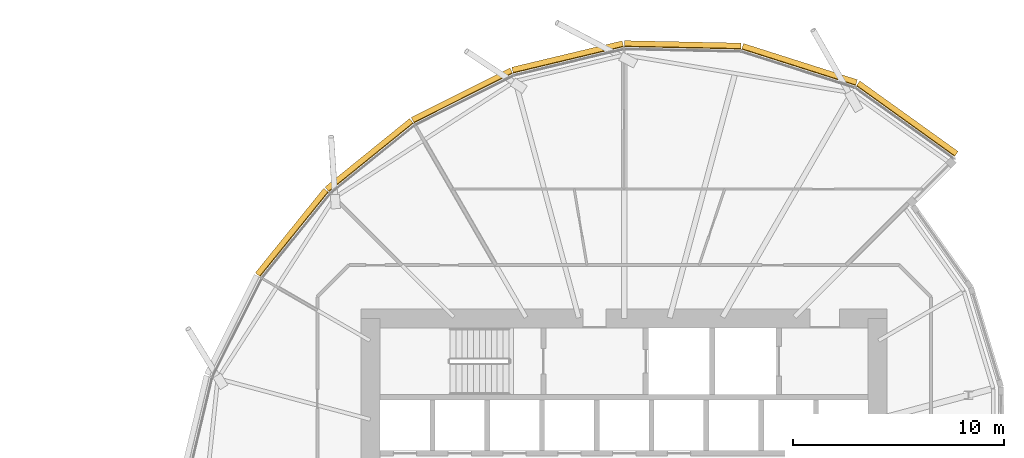
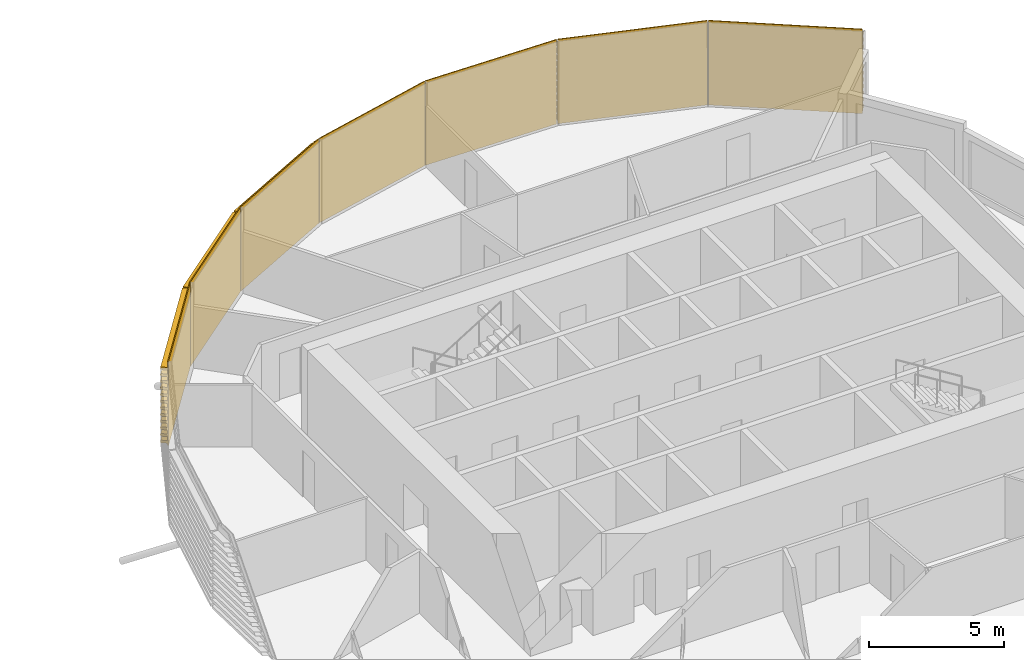
# One storey, part 36 of 36: 7 coverings.
"""IFC4 building model written with IfcOpenShell, lengths in metres."""

from ifc_helpers import new_model, si_unit, direction, frame, origin, place, context, subcontext, project, spatial, polyline, outline, extrude, material, material_profile, profile_set, type_object, element, save


model = new_model("IFC4")

# Units and contexts
model_context = context("Model", 3, precision=1e-05, world=origin(), true_north=direction((0.0, 1.0)))
body_context = subcontext(model_context, "Body", "Model", "MODEL_VIEW")
ifc_project = project(units=[si_unit("LENGTHUNIT", "METRE"), si_unit("AREAUNIT", "SQUARE_METRE"), si_unit("VOLUMEUNIT", "CUBIC_METRE"), si_unit("PLANEANGLEUNIT", "RADIAN"), si_unit("MASSUNIT", "GRAM", prefix="KILO")], contexts=[model_context])

# Site, building, storey
site_placement = place(None, origin())
site = spatial("IfcSite", under=ifc_project, at=site_placement, CompositionType="ELEMENT")
building_placement = place(site_placement, origin())
building = spatial("IfcBuilding", under=site, at=building_placement, Name="Rimbun Link Towers", CompositionType="ELEMENT")
storey_placement = place(building_placement, frame((0.0, 0.0, 37.60009765625)))
storey = spatial("IfcBuildingStorey", under=building, at=storey_placement, Name="L08", CompositionType="ELEMENT", Elevation=37.60009765625)

# Coverings
ifc_material = material(Name="Terracotta", Category="masonry")
ifc_material_profile = material_profile(ifc_material, outline(polyline([(0.123046875, 0.0), (0.1630859375, 0.0), (0.1630859375, 0.10009765625), (0.423095703125, 0.10009765625), (0.423095703125, 0.219970703125), (0.1630859375, 0.219970703125), (0.1630859375, 0.39990234375), (0.423095703125, 0.39990234375), (0.423095703125, 0.52001953125), (0.1630859375, 0.52001953125), (0.1630859375, 0.699951171875), (0.423095703125, 0.699951171875), (0.423095703125, 0.820068359375), (0.1630859375, 0.820068359375), (0.1630859375, 1.0), (0.423095703125, 1.0), (0.423095703125, 1.1201171875), (0.1630859375, 1.1201171875), (0.1630859375, 1.300048828125), (0.423095703125, 1.300048828125), (0.423095703125, 1.419921875), (0.1630859375, 1.419921875), (0.1630859375, 1.60009765625), (0.423095703125, 1.60009765625), (0.423095703125, 1.719970703125), (0.1630859375, 1.719970703125), (0.1630859375, 1.89990234375), (0.423095703125, 1.89990234375), (0.423095703125, 2.02001953125), (0.1630859375, 2.02001953125), (0.1630859375, 2.199951171875), (0.423095703125, 2.199951171875), (0.423095703125, 2.320068359375), (0.1630859375, 2.320068359375), (0.1630859375, 2.5), (0.423095703125, 2.5), (0.423095703125, 2.6201171875), (0.1630859375, 2.6201171875), (0.1630859375, 2.800048828125), (0.423095703125, 2.800048828125), (0.423095703125, 2.919921875), (0.1630859375, 2.919921875), (0.1630859375, 3.10009765625), (0.423095703125, 3.10009765625), (0.423095703125, 3.219970703125), (0.1630859375, 3.219970703125), (0.1630859375, 3.39990234375), (0.423095703125, 3.39990234375), (0.423095703125, 3.52001953125), (0.1630859375, 3.52001953125), (0.1630859375, 3.800048828125), (0.123046875, 3.800048828125), (0.123046875, 0.0)])), Name="BAGUETTE 120X300")
ifc_profile_set = profile_set([ifc_material_profile], Name="Terracotta")
covering_type = type_object("IfcCoveringType", Name="TERRACOTTA BAGUETTE 120X300 H3800", PredefinedType="CLADDING", material=ifc_profile_set)
covering_1_placement = place(storey_placement, frame((42.663818359375, 18.903076171875, 0.0), z_axis=(0.812452182196, -0.583027830935, 0.0), x_axis=(0.583027830935, 0.812452182196, 0.0)))
element("IfcCovering", 1, at=covering_1_placement, inside=storey, type_object=covering_type, Name="TERRACOTTA BAGUETTE", PredefinedType="CLADDING", context=body_context, shape_type="SweptSolid", body=[
    extrude(outline(polyline([(0.123046875, 0.0), (0.1630859375, 0.0), (0.1630859375, 0.10009765625), (0.423095703125, 0.10009765625), (0.423095703125, 0.219970703125), (0.1630859375, 0.219970703125), (0.1630859375, 0.39990234375), (0.423095703125, 0.39990234375), (0.423095703125, 0.52001953125), (0.1630859375, 0.52001953125), (0.1630859375, 0.699951171875), (0.423095703125, 0.699951171875), (0.423095703125, 0.820068359375), (0.1630859375, 0.820068359375), (0.1630859375, 1.0), (0.423095703125, 1.0), (0.423095703125, 1.1201171875), (0.1630859375, 1.1201171875), (0.1630859375, 1.300048828125), (0.423095703125, 1.300048828125), (0.423095703125, 1.419921875), (0.1630859375, 1.419921875), (0.1630859375, 1.60009765625), (0.423095703125, 1.60009765625), (0.423095703125, 1.719970703125), (0.1630859375, 1.719970703125), (0.1630859375, 1.89990234375), (0.423095703125, 1.89990234375), (0.423095703125, 2.02001953125), (0.1630859375, 2.02001953125), (0.1630859375, 2.199951171875), (0.423095703125, 2.199951171875), (0.423095703125, 2.320068359375), (0.1630859375, 2.320068359375), (0.1630859375, 2.5), (0.423095703125, 2.5), (0.423095703125, 2.6201171875), (0.1630859375, 2.6201171875), (0.1630859375, 2.800048828125), (0.423095703125, 2.800048828125), (0.423095703125, 2.919921875), (0.1630859375, 2.919921875), (0.1630859375, 3.10009765625), (0.423095703125, 3.10009765625), (0.423095703125, 3.219970703125), (0.1630859375, 3.219970703125), (0.1630859375, 3.39990234375), (0.423095703125, 3.39990234375), (0.423095703125, 3.52001953125), (0.1630859375, 3.52001953125), (0.1630859375, 3.800048828125), (0.123046875, 3.800048828125), (0.123046875, 0.0)])), origin(), (0.0, 0.0, 1.0), 5.72509765625),
])
covering_2_placement = place(storey_placement, frame((37.2744140625, 20.6171875, 0.0), z_axis=(0.95296149131, -0.303091398889, 0.0), x_axis=(0.303091398889, 0.95296149131, 0.0)))
element("IfcCovering", 2, at=covering_2_placement, inside=storey, type_object=covering_type, Name="TERRACOTTA BAGUETTE", PredefinedType="CLADDING", context=body_context, shape_type="SweptSolid", body=[
    extrude(outline(polyline([(0.123046875, 0.0), (0.1630859375, 0.0), (0.1630859375, 0.10009765625), (0.423095703125, 0.10009765625), (0.423095703125, 0.219970703125), (0.1630859375, 0.219970703125), (0.1630859375, 0.39990234375), (0.423095703125, 0.39990234375), (0.423095703125, 0.52001953125), (0.1630859375, 0.52001953125), (0.1630859375, 0.699951171875), (0.423095703125, 0.699951171875), (0.423095703125, 0.820068359375), (0.1630859375, 0.820068359375), (0.1630859375, 1.0), (0.423095703125, 1.0), (0.423095703125, 1.1201171875), (0.1630859375, 1.1201171875), (0.1630859375, 1.300048828125), (0.423095703125, 1.300048828125), (0.423095703125, 1.419921875), (0.1630859375, 1.419921875), (0.1630859375, 1.60009765625), (0.423095703125, 1.60009765625), (0.423095703125, 1.719970703125), (0.1630859375, 1.719970703125), (0.1630859375, 1.89990234375), (0.423095703125, 1.89990234375), (0.423095703125, 2.02001953125), (0.1630859375, 2.02001953125), (0.1630859375, 2.199951171875), (0.423095703125, 2.199951171875), (0.423095703125, 2.320068359375), (0.1630859375, 2.320068359375), (0.1630859375, 2.5), (0.423095703125, 2.5), (0.423095703125, 2.6201171875), (0.1630859375, 2.6201171875), (0.1630859375, 2.800048828125), (0.423095703125, 2.800048828125), (0.423095703125, 2.919921875), (0.1630859375, 2.919921875), (0.1630859375, 3.10009765625), (0.423095703125, 3.10009765625), (0.423095703125, 3.219970703125), (0.1630859375, 3.219970703125), (0.1630859375, 3.39990234375), (0.423095703125, 3.39990234375), (0.423095703125, 3.52001953125), (0.1630859375, 3.52001953125), (0.1630859375, 3.800048828125), (0.123046875, 3.800048828125), (0.123046875, 0.0)])), origin(), (0.0, 0.0, 1.0), 5.655517578125),
])
covering_3_placement = place(storey_placement, frame((31.75, 20.7333984375, 0.0), z_axis=(0.99977881918, -0.02103123201, 0.0), x_axis=(0.02103123201, 0.99977881918, 0.0)))
element("IfcCovering", 3, at=covering_3_placement, inside=storey, type_object=covering_type, Name="TERRACOTTA BAGUETTE", PredefinedType="CLADDING", context=body_context, shape_type="SweptSolid", body=[
    extrude(outline(polyline([(0.123046875, 0.0), (0.1630859375, 0.0), (0.1630859375, 0.10009765625), (0.423095703125, 0.10009765625), (0.423095703125, 0.219970703125), (0.1630859375, 0.219970703125), (0.1630859375, 0.39990234375), (0.423095703125, 0.39990234375), (0.423095703125, 0.52001953125), (0.1630859375, 0.52001953125), (0.1630859375, 0.699951171875), (0.423095703125, 0.699951171875), (0.423095703125, 0.820068359375), (0.1630859375, 0.820068359375), (0.1630859375, 1.0), (0.423095703125, 1.0), (0.423095703125, 1.1201171875), (0.1630859375, 1.1201171875), (0.1630859375, 1.300048828125), (0.423095703125, 1.300048828125), (0.423095703125, 1.419921875), (0.1630859375, 1.419921875), (0.1630859375, 1.60009765625), (0.423095703125, 1.60009765625), (0.423095703125, 1.719970703125), (0.1630859375, 1.719970703125), (0.1630859375, 1.89990234375), (0.423095703125, 1.89990234375), (0.423095703125, 2.02001953125), (0.1630859375, 2.02001953125), (0.1630859375, 2.199951171875), (0.423095703125, 2.199951171875), (0.423095703125, 2.320068359375), (0.1630859375, 2.320068359375), (0.1630859375, 2.5), (0.423095703125, 2.5), (0.423095703125, 2.6201171875), (0.1630859375, 2.6201171875), (0.1630859375, 2.800048828125), (0.423095703125, 2.800048828125), (0.423095703125, 2.919921875), (0.1630859375, 2.919921875), (0.1630859375, 3.10009765625), (0.423095703125, 3.10009765625), (0.423095703125, 3.219970703125), (0.1630859375, 3.219970703125), (0.1630859375, 3.39990234375), (0.423095703125, 3.39990234375), (0.423095703125, 3.52001953125), (0.1630859375, 3.52001953125), (0.1630859375, 3.800048828125), (0.123046875, 3.800048828125), (0.123046875, 0.0)])), origin(), (0.0, 0.0, 1.0), 5.525634765625),
])
covering_4_placement = place(storey_placement, frame((26.529052734375, 19.48486328125, 0.0), z_axis=(0.972576878896, 0.232581630052, 0.0), x_axis=(-0.232581630052, 0.972576878896, 0.0)))
element("IfcCovering", 4, at=covering_4_placement, inside=storey, type_object=covering_type, Name="TERRACOTTA BAGUETTE", PredefinedType="CLADDING", context=body_context, shape_type="SweptSolid", body=[
    extrude(outline(polyline([(0.123046875, 0.0), (0.1630859375, 0.0), (0.1630859375, 0.10009765625), (0.423095703125, 0.10009765625), (0.423095703125, 0.219970703125), (0.1630859375, 0.219970703125), (0.1630859375, 0.39990234375), (0.423095703125, 0.39990234375), (0.423095703125, 0.52001953125), (0.1630859375, 0.52001953125), (0.1630859375, 0.699951171875), (0.423095703125, 0.699951171875), (0.423095703125, 0.820068359375), (0.1630859375, 0.820068359375), (0.1630859375, 1.0), (0.423095703125, 1.0), (0.423095703125, 1.1201171875), (0.1630859375, 1.1201171875), (0.1630859375, 1.300048828125), (0.423095703125, 1.300048828125), (0.423095703125, 1.419921875), (0.1630859375, 1.419921875), (0.1630859375, 1.60009765625), (0.423095703125, 1.60009765625), (0.423095703125, 1.719970703125), (0.1630859375, 1.719970703125), (0.1630859375, 1.89990234375), (0.423095703125, 1.89990234375), (0.423095703125, 2.02001953125), (0.1630859375, 2.02001953125), (0.1630859375, 2.199951171875), (0.423095703125, 2.199951171875), (0.423095703125, 2.320068359375), (0.1630859375, 2.320068359375), (0.1630859375, 2.5), (0.423095703125, 2.5), (0.423095703125, 2.6201171875), (0.1630859375, 2.6201171875), (0.1630859375, 2.800048828125), (0.423095703125, 2.800048828125), (0.423095703125, 2.919921875), (0.1630859375, 2.919921875), (0.1630859375, 3.10009765625), (0.423095703125, 3.10009765625), (0.423095703125, 3.219970703125), (0.1630859375, 3.219970703125), (0.1630859375, 3.39990234375), (0.423095703125, 3.39990234375), (0.423095703125, 3.52001953125), (0.1630859375, 3.52001953125), (0.1630859375, 3.800048828125), (0.123046875, 3.800048828125), (0.123046875, 0.0)])), origin(), (0.0, 0.0, 1.0), 5.3681640625),
])
covering_5_placement = place(storey_placement, frame((21.85546875, 17.1376953125, 0.0), z_axis=(0.893632189933, 0.448800077, 0.0), x_axis=(-0.448800077, 0.893632189933, 0.0)))
element("IfcCovering", 5, at=covering_5_placement, inside=storey, type_object=covering_type, Name="TERRACOTTA BAGUETTE", PredefinedType="CLADDING", context=body_context, shape_type="SweptSolid", body=[
    extrude(outline(polyline([(0.123046875, 0.0), (0.1630859375, 0.0), (0.1630859375, 0.10009765625), (0.423095703125, 0.10009765625), (0.423095703125, 0.219970703125), (0.1630859375, 0.219970703125), (0.1630859375, 0.39990234375), (0.423095703125, 0.39990234375), (0.423095703125, 0.52001953125), (0.1630859375, 0.52001953125), (0.1630859375, 0.699951171875), (0.423095703125, 0.699951171875), (0.423095703125, 0.820068359375), (0.1630859375, 0.820068359375), (0.1630859375, 1.0), (0.423095703125, 1.0), (0.423095703125, 1.1201171875), (0.1630859375, 1.1201171875), (0.1630859375, 1.300048828125), (0.423095703125, 1.300048828125), (0.423095703125, 1.419921875), (0.1630859375, 1.419921875), (0.1630859375, 1.60009765625), (0.423095703125, 1.60009765625), (0.423095703125, 1.719970703125), (0.1630859375, 1.719970703125), (0.1630859375, 1.89990234375), (0.423095703125, 1.89990234375), (0.423095703125, 2.02001953125), (0.1630859375, 2.02001953125), (0.1630859375, 2.199951171875), (0.423095703125, 2.199951171875), (0.423095703125, 2.320068359375), (0.1630859375, 2.320068359375), (0.1630859375, 2.5), (0.423095703125, 2.5), (0.423095703125, 2.6201171875), (0.1630859375, 2.6201171875), (0.1630859375, 2.800048828125), (0.423095703125, 2.800048828125), (0.423095703125, 2.919921875), (0.1630859375, 2.919921875), (0.1630859375, 3.10009765625), (0.423095703125, 3.10009765625), (0.423095703125, 3.219970703125), (0.1630859375, 3.219970703125), (0.1630859375, 3.39990234375), (0.423095703125, 3.39990234375), (0.423095703125, 3.52001953125), (0.1630859375, 3.52001953125), (0.1630859375, 3.800048828125), (0.123046875, 3.800048828125), (0.123046875, 0.0)])), origin(), (0.0, 0.0, 1.0), 5.22998046875),
])
for number, where, z_axis, x_axis, name in (
    (6, (17.852294921875, 13.897705078125, 0.0), (0.777308896653, 0.629119129565, 0.0), (-0.629119129565, 0.777308896653, 0.0), "TERRACOTTA BAGUETTE"),
    (7, (14.6123046875, 9.89453125, 0.0), (0.629119129565, 0.777308896653, 0.0), (-0.777308896653, 0.629119129565, 0.0), "TERRACOTTA BAGUETTE"),
):
    element("IfcCovering", number, at=place(storey_placement, frame(where, z_axis=z_axis, x_axis=x_axis)), inside=storey, type_object=covering_type, Name=name, PredefinedType="CLADDING", context=body_context, shape_type="SweptSolid", body=[
        extrude(outline(polyline([(0.123046875, 0.0), (0.1630859375, 0.0), (0.1630859375, 0.10009765625), (0.423095703125, 0.10009765625), (0.423095703125, 0.219970703125), (0.1630859375, 0.219970703125), (0.1630859375, 0.39990234375), (0.423095703125, 0.39990234375), (0.423095703125, 0.52001953125), (0.1630859375, 0.52001953125), (0.1630859375, 0.699951171875), (0.423095703125, 0.699951171875), (0.423095703125, 0.820068359375), (0.1630859375, 0.820068359375), (0.1630859375, 1.0), (0.423095703125, 1.0), (0.423095703125, 1.1201171875), (0.1630859375, 1.1201171875), (0.1630859375, 1.300048828125), (0.423095703125, 1.300048828125), (0.423095703125, 1.419921875), (0.1630859375, 1.419921875), (0.1630859375, 1.60009765625), (0.423095703125, 1.60009765625), (0.423095703125, 1.719970703125), (0.1630859375, 1.719970703125), (0.1630859375, 1.89990234375), (0.423095703125, 1.89990234375), (0.423095703125, 2.02001953125), (0.1630859375, 2.02001953125), (0.1630859375, 2.199951171875), (0.423095703125, 2.199951171875), (0.423095703125, 2.320068359375), (0.1630859375, 2.320068359375), (0.1630859375, 2.5), (0.423095703125, 2.5), (0.423095703125, 2.6201171875), (0.1630859375, 2.6201171875), (0.1630859375, 2.800048828125), (0.423095703125, 2.800048828125), (0.423095703125, 2.919921875), (0.1630859375, 2.919921875), (0.1630859375, 3.10009765625), (0.423095703125, 3.10009765625), (0.423095703125, 3.219970703125), (0.1630859375, 3.219970703125), (0.1630859375, 3.39990234375), (0.423095703125, 3.39990234375), (0.423095703125, 3.52001953125), (0.1630859375, 3.52001953125), (0.1630859375, 3.800048828125), (0.123046875, 3.800048828125), (0.123046875, 0.0)])), origin(), (0.0, 0.0, 1.0), 5.150146484375),
    ])

save(model, "model.ifc")
